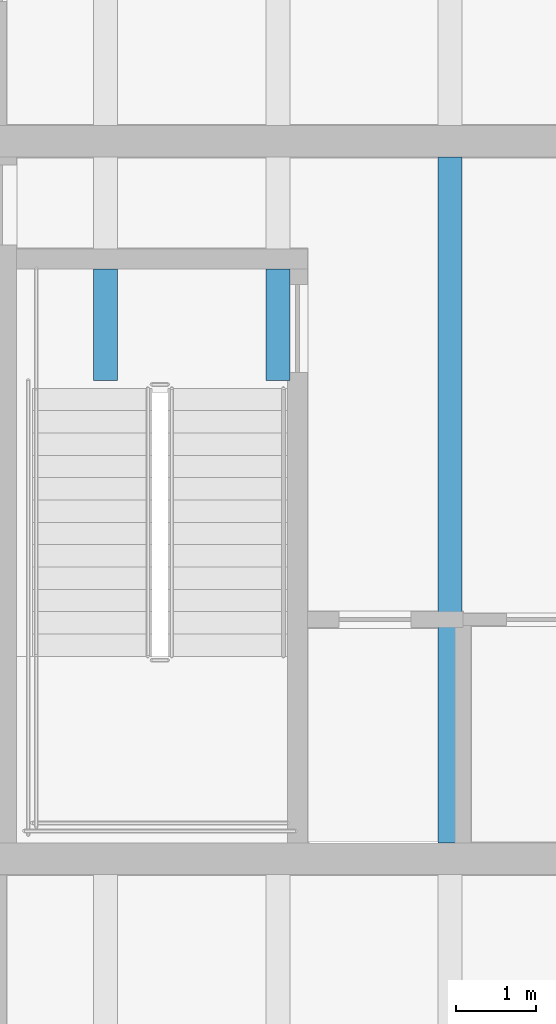
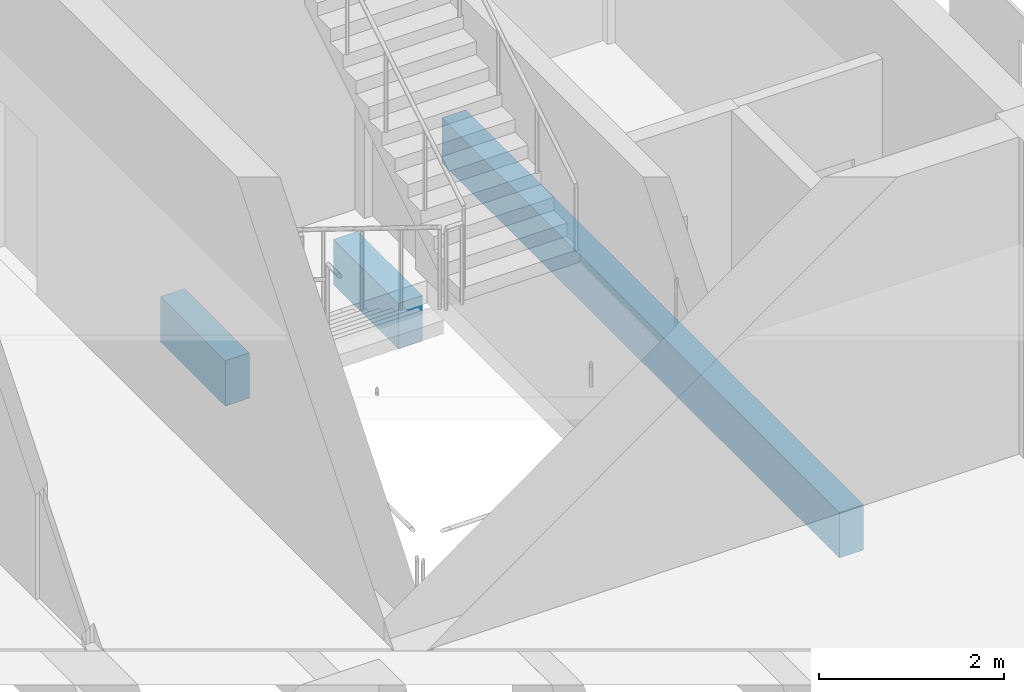
# One storey, part 17 of 88: 3 beams.
"""IFC4 building model written with IfcOpenShell, lengths in metres."""

from ifc_helpers import new_model, si_unit, direction, frame, origin, origin_2d, place, context, subcontext, project, spatial, rectangle, extrude, material, material_profile, profile_set, type_object, element, save


model = new_model("IFC4")

# Units and contexts
model_context = context("Model", 3, precision=1e-05, world=origin(), true_north=direction((0.0, 1.0)))
body_context = subcontext(model_context, "Body", "Model", "MODEL_VIEW")
ifc_project = project(units=[si_unit("LENGTHUNIT", "METRE"), si_unit("AREAUNIT", "SQUARE_METRE"), si_unit("VOLUMEUNIT", "CUBIC_METRE"), si_unit("PLANEANGLEUNIT", "RADIAN"), si_unit("MASSUNIT", "GRAM", prefix="KILO")], contexts=[model_context])

# Site, building, storey
site_placement = place(None, origin())
site = spatial("IfcSite", under=ifc_project, at=site_placement, CompositionType="ELEMENT")
building_placement = place(site_placement, origin())
building = spatial("IfcBuilding", under=site, at=building_placement, Name="Merrow Basin Faculty of Sciences", CompositionType="ELEMENT")
storey_placement = place(building_placement, frame((0.0, 0.0, 9.0)))
storey = spatial("IfcBuildingStorey", under=building, at=storey_placement, Name="L02", CompositionType="ELEMENT", Elevation=9.0)

# Beams
ifc_material = material(Name="Concrete C40/50", Category="concrete")
ifc_material_profile = material_profile(ifc_material, rectangle(XDim=0.300048828125, YDim=0.60009765625, at=origin_2d()))
ifc_profile_set = profile_set([ifc_material_profile], Name="Concrete C40/50")
beam_type = type_object("IfcBeamType", Name="Laboratory floor joist RC300x600 C40/50", PredefinedType="BEAM", material=ifc_profile_set)
for number, where, z_axis, x_axis, name in (
    (1, (15.1201171875, 94.0, -0.60009765625), (0.0, 1.0, 0.0), (-1.0, 0.0, 0.0), "JL1 L02 080"),
    (2, (17.280029296875, 94.0, -0.60009765625), (0.0, 1.0, 0.0), (-1.0, 0.0, 0.0), "JL1 L02 082"),
):
    element("IfcBeam", number, at=place(storey_placement, frame(where, z_axis=z_axis, x_axis=x_axis)), inside=storey, type_object=beam_type, Name=name, PredefinedType="BEAM", context=body_context, shape_type="SweptSolid", body=[
        extrude(rectangle(XDim=0.300048828125, YDim=0.60009765625, at=origin_2d()), origin(), (0.0, 0.0, 1.0), 1.39990234375),
    ])
beam_placement = place(storey_placement, frame((19.43994140625, 88.199951171875, -0.60009765625), z_axis=(0.0, 1.0, 0.0), x_axis=(-1.0, 0.0, 0.0)))
element("IfcBeam", 3, at=beam_placement, inside=storey, type_object=beam_type, Name="JL1 L02 084", PredefinedType="BEAM", context=body_context, shape_type="SweptSolid", body=[
    extrude(rectangle(XDim=0.300048828125, YDim=0.60009765625, at=origin_2d()), origin(), (0.0, 0.0, 1.0), 8.60009765625),
])

save(model, "model.ifc")
